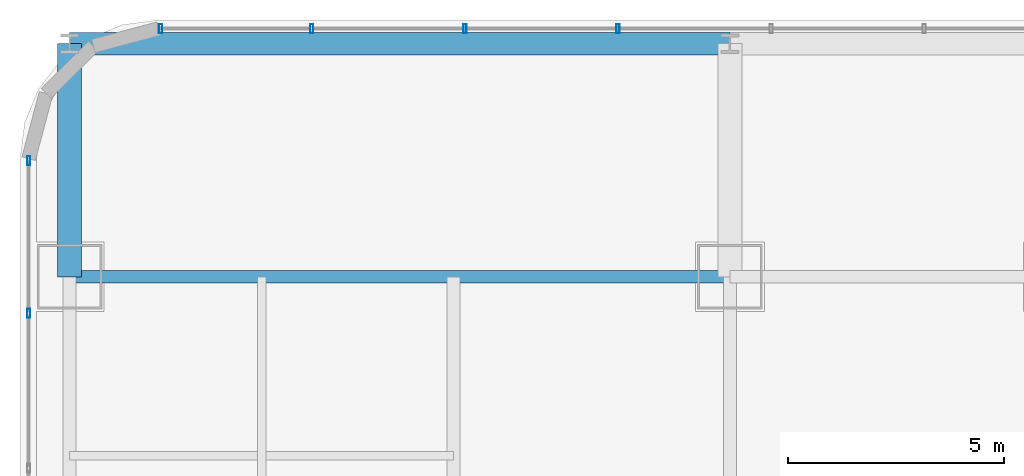
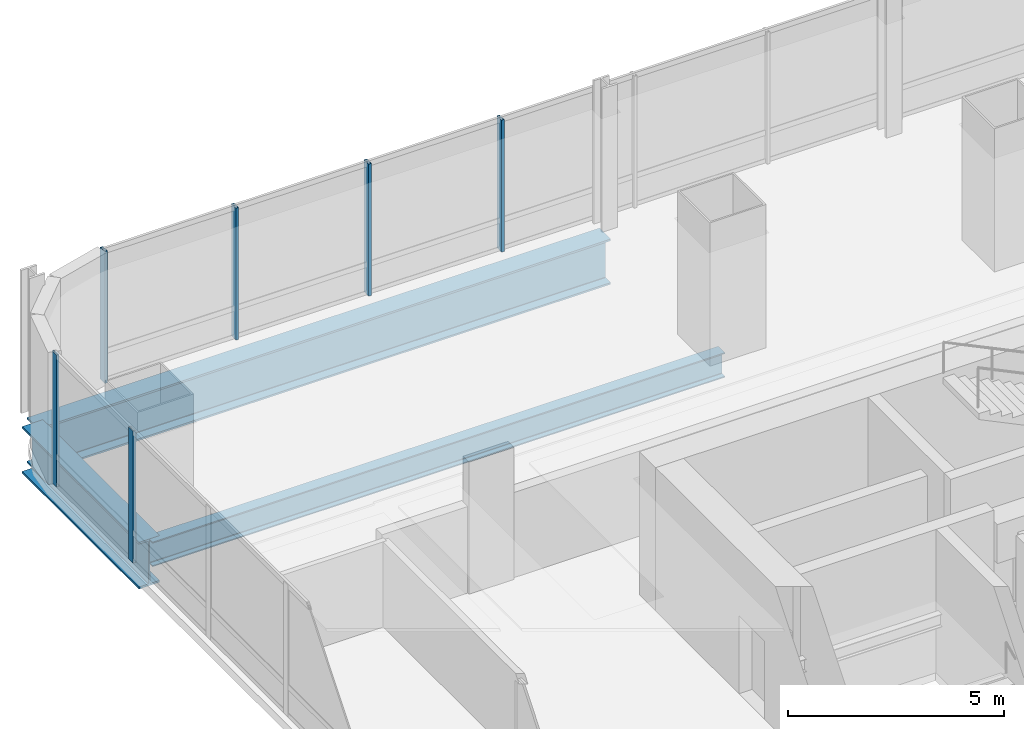
# One storey, part 20 of 33: 6 members, 3 beams, 2 elements without a shape of their own.
"""IFC4 building model written with IfcOpenShell, lengths in metres."""

from ifc_helpers import new_model, si_unit, direction, frame, origin, origin_2d, place, context, subcontext, project, spatial, hollow_rectangle, i_section, extrude, material, material_profile, profile_set, type_object, element, aggregate, save


model = new_model("IFC4")

# Units and contexts
model_context = context("Model", 3, precision=1e-05, world=origin(), true_north=direction((0.0, 1.0)))
body_context = subcontext(model_context, "Body", "Model", "MODEL_VIEW")
ifc_project = project(units=[si_unit("LENGTHUNIT", "METRE"), si_unit("AREAUNIT", "SQUARE_METRE"), si_unit("VOLUMEUNIT", "CUBIC_METRE"), si_unit("PLANEANGLEUNIT", "RADIAN"), si_unit("MASSUNIT", "GRAM", prefix="KILO")], contexts=[model_context])

# Site, building, storey
site_placement = place(None, origin())
site = spatial("IfcSite", under=ifc_project, at=site_placement, CompositionType="ELEMENT")
building_placement = place(site_placement, origin())
building = spatial("IfcBuilding", under=site, at=building_placement, Name="Punatoya Terracotta Tower", CompositionType="ELEMENT")
storey_placement = place(building_placement, frame((0.0, 0.0, 121.35009765625)))
storey = spatial("IfcBuildingStorey", under=building, at=storey_placement, Name="L28", CompositionType="ELEMENT", Elevation=121.35009765625)

# Beams
ifc_material_1 = material(Name="Steel S355", Category="steel")
ifc_material_profile_1 = material_profile(ifc_material_1, i_section(OverallWidth=0.300048828125, OverallDepth=0.699951171875, WebThickness=0.01708984375, FlangeThickness=0.031982421875, FilletRadius=0.01806640625, at=origin_2d()))
ifc_profile_set_1 = profile_set([ifc_material_profile_1], Name="Steel S355")
beam_type_1 = type_object("IfcBeamType", Name="BM-PRI-700", PredefinedType="BEAM", material=ifc_profile_set_1)
beam_1_placement = place(storey_placement, frame((-19.10009765625, 17.5, -0.590087890625), z_axis=(1.0, 0.0, 0.0), x_axis=(0.0, 1.0, 0.0)))
element("IfcBeam", 1, at=beam_1_placement, inside=storey, type_object=beam_type_1, Name="BM-L28-RG-N1", PredefinedType="BEAM", context=body_context, shape_type="SweptSolid", body=[
    extrude(i_section(OverallWidth=0.300048828125, OverallDepth=0.699951171875, WebThickness=0.01708984375, FlangeThickness=0.031982421875, FilletRadius=0.01806640625, at=origin_2d()), origin(), (0.0, 0.0, 1.0), 15.300048828125),
])
ifc_material_2 = material(Name="Steel S460", Category="steel")
ifc_material_profile_2 = material_profile(ifc_material_2, i_section(OverallWidth=0.56005859375, OverallDepth=1.320068359375, WebThickness=0.035888671875, FlangeThickness=0.054931640625, FilletRadius=0.01806640625, at=origin_2d()))
ifc_profile_set_2 = profile_set([ifc_material_profile_2], Name="Steel S460")
beam_type_2 = type_object("IfcBeamType", Name="BM-TG-BLK", PredefinedType="BEAM", material=ifc_profile_set_2)
beam_2_placement = place(storey_placement, frame((-19.10009765625, 17.5, -0.900146484375), z_axis=(0.0, 1.0, 0.0), x_axis=(-1.0, 0.0, 0.0)))
element("IfcBeam", 2, at=beam_2_placement, inside=storey, type_object=beam_type_2, Name="BM-L28-CANT-N1", PredefinedType="BEAM", context=body_context, shape_type="SweptSolid", body=[
    extrude(i_section(OverallWidth=0.56005859375, OverallDepth=1.320068359375, WebThickness=0.035888671875, FlangeThickness=0.054931640625, FilletRadius=0.01806640625, at=origin_2d()), origin(), (0.0, 0.0, 1.0), 5.39990234375),
])
ifc_material_profile_3 = material_profile(ifc_material_2, i_section(OverallWidth=0.52001953125, OverallDepth=1.280029296875, WebThickness=0.031982421875, FlangeThickness=0.050048828125, FilletRadius=0.01806640625, at=origin_2d()))
ifc_profile_set_3 = profile_set([ifc_material_profile_3], Name="Steel S460")
beam_type_3 = type_object("IfcBeamType", Name="BM-TG-NCK", PredefinedType="BEAM", material=ifc_profile_set_3)
beam_3_placement = place(storey_placement, frame((-19.10009765625, 22.89990234375, -0.880126953125), z_axis=(1.0, 0.0, 0.0), x_axis=(0.0, 1.0, 0.0)))
element("IfcBeam", 3, at=beam_3_placement, inside=storey, type_object=beam_type_3, Name="BM-L28-PER-N1", PredefinedType="BEAM", context=body_context, shape_type="SweptSolid", body=[
    extrude(i_section(OverallWidth=0.52001953125, OverallDepth=1.280029296875, WebThickness=0.031982421875, FlangeThickness=0.050048828125, FilletRadius=0.01806640625, at=origin_2d()), origin(), (0.0, 0.0, 1.0), 15.300048828125),
])

# Curtain wall, members
ifc_material_3 = material(Name="Aluminium 6063-T6 + Double Low-E Glass", Category="aluminium")
curtain_wall_type = type_object("IfcCurtainWallType", Name="CW-M1", PredefinedType="NOTDEFINED", material=ifc_material_3)
curtain_wall_1_placement = place(storey_placement, origin())
curtain_wall_1 = element("IfcCurtainWall", 4, at=curtain_wall_1_placement, inside=storey, type_object=curtain_wall_type, Name="L28 Curtain Wall CW-L28-N08-1", PredefinedType="NOTDEFINED")
ifc_material_4 = material(Name="Aluminium 6063-T6", Category="aluminium")
ifc_material_profile_4 = material_profile(ifc_material_4, hollow_rectangle(XDim=0.074951171875, YDim=0.2099609375, WallThickness=0.00439453125, at=origin_2d()))
ifc_profile_set_4 = profile_set([ifc_material_profile_4], Name="Aluminium 6063-T6")
member_type = type_object("IfcMemberType", Name="CW-MUL-M1", PredefinedType="MULLION", material=ifc_profile_set_4)
member_1_placement = place(storey_placement, frame((-6.390869140625, 23.25, 0.0), z_axis=(0.0, 0.0, 1.0), x_axis=(1.0, 0.0, 0.0)))
member_1 = element("IfcMember", 5, at=member_1_placement, type_object=member_type, Name="CW-L28-N08-1 Mullion 07", PredefinedType="MULLION", context=body_context, shape_type="SweptSolid", body=[
    extrude(hollow_rectangle(XDim=0.074951171875, YDim=0.2099609375, WallThickness=0.00439453125, at=origin_2d()), origin(), (0.0, 0.0, 1.0), 3.72998046875),
])
member_2_placement = place(storey_placement, frame((-9.939453125, 23.25, 0.0), z_axis=(0.0, 0.0, 1.0), x_axis=(1.0, 0.0, 0.0)))
member_2 = element("IfcMember", 6, at=member_2_placement, type_object=member_type, Name="CW-L28-N08-1 Mullion 08", PredefinedType="MULLION", context=body_context, shape_type="SweptSolid", body=[
    extrude(hollow_rectangle(XDim=0.074951171875, YDim=0.2099609375, WallThickness=0.00439453125, at=origin_2d()), origin(), (0.0, 0.0, 1.0), 3.72998046875),
])
member_3_placement = place(storey_placement, frame((-13.48828125, 23.25, 0.0), z_axis=(0.0, 0.0, 1.0), x_axis=(1.0, 0.0, 0.0)))
member_3 = element("IfcMember", 7, at=member_3_placement, type_object=member_type, Name="CW-L28-N08-1 Mullion 09", PredefinedType="MULLION", context=body_context, shape_type="SweptSolid", body=[
    extrude(hollow_rectangle(XDim=0.074951171875, YDim=0.2099609375, WallThickness=0.00439453125, at=origin_2d()), origin(), (0.0, 0.0, 1.0), 3.72998046875),
])
member_4_placement = place(storey_placement, frame((-16.991943359375, 23.25, 0.0), z_axis=(0.0, 0.0, 1.0), x_axis=(1.0, 0.0, 0.0)))
member_4 = element("IfcMember", 8, at=member_4_placement, type_object=member_type, Name="CW-L28-N08-1 Mullion 10", PredefinedType="MULLION", context=body_context, shape_type="SweptSolid", body=[
    extrude(hollow_rectangle(XDim=0.074951171875, YDim=0.2099609375, WallThickness=0.00439453125, at=origin_2d()), origin(), (0.0, 0.0, 1.0), 3.72998046875),
])
aggregate(curtain_wall_1, [member_1, member_2, member_3, member_4])

curtain_wall_2_placement = place(storey_placement, origin())
curtain_wall_2 = element("IfcCurtainWall", 9, at=curtain_wall_2_placement, inside=storey, type_object=curtain_wall_type, Name="L28 Curtain Wall CW-L28-W12-1", PredefinedType="NOTDEFINED")
member_5_placement = place(storey_placement, frame((-20.050048828125, 20.19189453125, 0.0), z_axis=(0.0, 0.0, 1.0), x_axis=(1.0, 0.0, 0.0)))
member_5 = element("IfcMember", 10, at=member_5_placement, type_object=member_type, Name="CW-L28-W12-1 Mullion 00", PredefinedType="MULLION", context=body_context, shape_type="SweptSolid", body=[
    extrude(hollow_rectangle(XDim=0.074951171875, YDim=0.2099609375, WallThickness=0.00439453125, at=origin_2d()), origin(), (0.0, 0.0, 1.0), 3.72998046875),
])
member_6_placement = place(storey_placement, frame((-20.050048828125, 16.6494140625, 0.0), z_axis=(0.0, 0.0, 1.0), x_axis=(1.0, 0.0, 0.0)))
member_6 = element("IfcMember", 11, at=member_6_placement, type_object=member_type, Name="CW-L28-W12-1 Mullion 01", PredefinedType="MULLION", context=body_context, shape_type="SweptSolid", body=[
    extrude(hollow_rectangle(XDim=0.074951171875, YDim=0.2099609375, WallThickness=0.00439453125, at=origin_2d()), origin(), (0.0, 0.0, 1.0), 3.72998046875),
])
aggregate(curtain_wall_2, [member_5, member_6])

save(model, "model.ifc")
